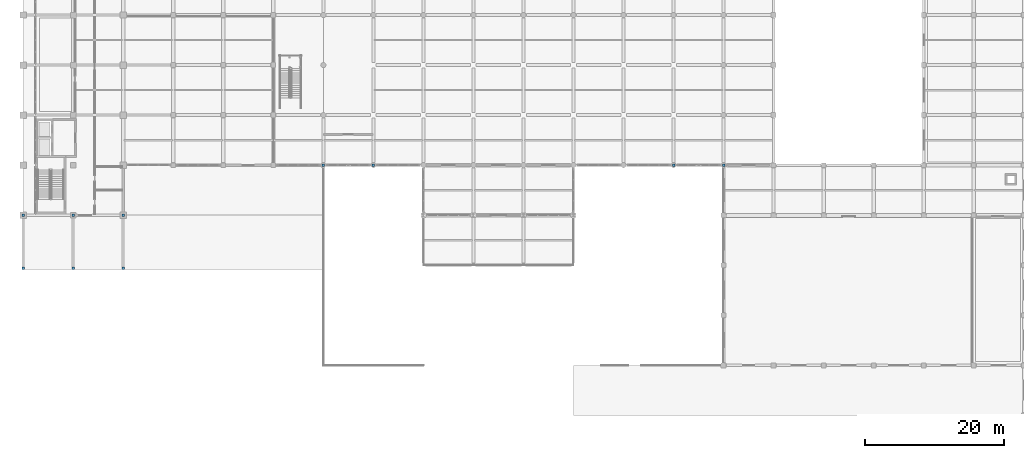
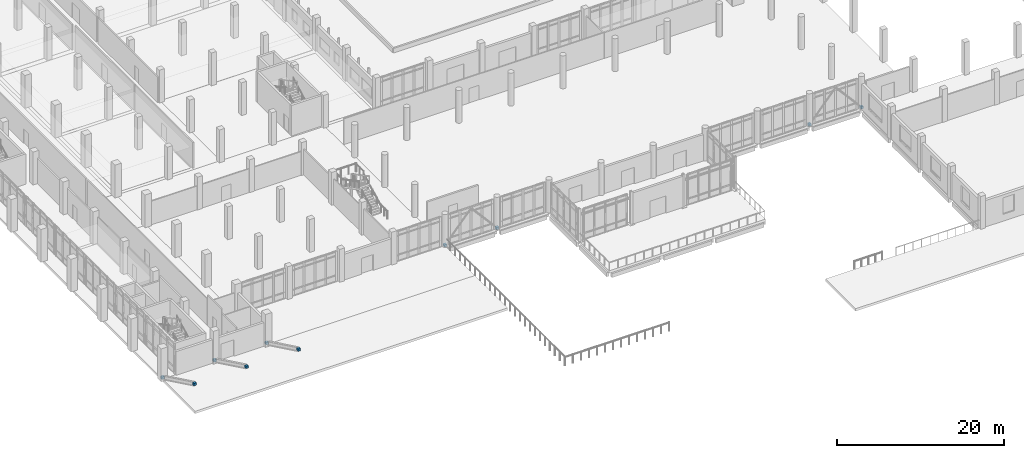
# One storey, part 45 of 59: 10 discrete accessories.
"""IFC4 building model written with IfcOpenShell, lengths in metres."""

from ifc_helpers import new_model, si_unit, direction, frame, origin, origin_2d, place, context, subcontext, project, spatial, rectangle, extrude, material, type_object, element, save


model = new_model("IFC4")

# Units and contexts
model_context = context("Model", 3, precision=1e-05, world=origin(), true_north=direction((0.0, 1.0)))
body_context = subcontext(model_context, "Body", "Model", "MODEL_VIEW")
ifc_project = project(units=[si_unit("LENGTHUNIT", "METRE"), si_unit("AREAUNIT", "SQUARE_METRE"), si_unit("VOLUMEUNIT", "CUBIC_METRE"), si_unit("PLANEANGLEUNIT", "RADIAN"), si_unit("MASSUNIT", "GRAM", prefix="KILO")], contexts=[model_context])

# Site, building, storey
site_placement = place(None, origin())
site = spatial("IfcSite", under=ifc_project, at=site_placement, CompositionType="ELEMENT")
building_placement = place(site_placement, origin())
building = spatial("IfcBuilding", under=site, at=building_placement, Name="Valkovuoma Quantum and Materials Research Institute", CompositionType="ELEMENT")
storey_placement = place(building_placement, origin())
storey = spatial("IfcBuildingStorey", under=building, at=storey_placement, Name="L00", CompositionType="ELEMENT", Elevation=0.0)

# Discrete accessories
ifc_material = material(Name="Steel S355J2", Category="steel")
discrete_accessory_type = type_object("IfcDiscreteAccessoryType", Name="Conn-END-01", PredefinedType="BRACKET", material=ifc_material)
for number, where, z_axis, x_axis, name in (
    (1, (0.0, 28.800048828125, 0.080078125), (0.0, 0.0, 1.0), (1.0, 0.0, 0.0), "L00 brace end connection assembly 0001"),
    (2, (0.0, 21.14990234375, 3.77978515625), (0.0, 0.0, 1.0), (1.0, 0.0, 0.0), "L00 brace end connection assembly 0002"),
    (3, (7.199951171875, 28.800048828125, 0.080078125), (0.0, 0.0, 1.0), (1.0, 0.0, 0.0), "L00 brace end connection assembly 0003"),
    (4, (7.199951171875, 21.14990234375, 3.77978515625), (0.0, 0.0, 1.0), (1.0, 0.0, 0.0), "L00 brace end connection assembly 0004"),
    (5, (14.39990234375, 28.800048828125, 0.080078125), (0.0, 0.0, 1.0), (1.0, 0.0, 0.0), "L00 brace end connection assembly 0005"),
    (6, (14.39990234375, 21.14990234375, 3.77978515625), (0.0, 0.0, 1.0), (1.0, 0.0, 0.0), "L00 brace end connection assembly 0006"),
    (7, (43.199951171875, 36.0, -0.06982421875), (0.0, 0.0, 1.0), (1.0, 0.0, 0.0), "L00 brace end connection assembly 0282"),
    (8, (50.39990234375, 36.0, -0.06982421875), (0.0, 0.0, 1.0), (1.0, 0.0, 0.0), "L00 brace end connection assembly 0283"),
    (9, (93.60009765625, 36.0, -0.06982421875), (0.0, 0.0, 1.0), (1.0, 0.0, 0.0), "L00 brace end connection assembly 0286"),
    (10, (100.800048828125, 36.0, -0.06982421875), (0.0, 0.0, 1.0), (1.0, 0.0, 0.0), "L00 brace end connection assembly 0287"),
):
    element("IfcDiscreteAccessory", number, at=place(storey_placement, frame(where, z_axis=z_axis, x_axis=x_axis)), inside=storey, type_object=discrete_accessory_type, Name=name, PredefinedType="BRACKET", context=body_context, shape_type="SweptSolid", body=[
        extrude(rectangle(XDim=0.340087890625, YDim=0.340087890625, at=origin_2d()), origin(), (0.0, 0.0, 1.0), 0.340087890625),
    ])

save(model, "model.ifc")
